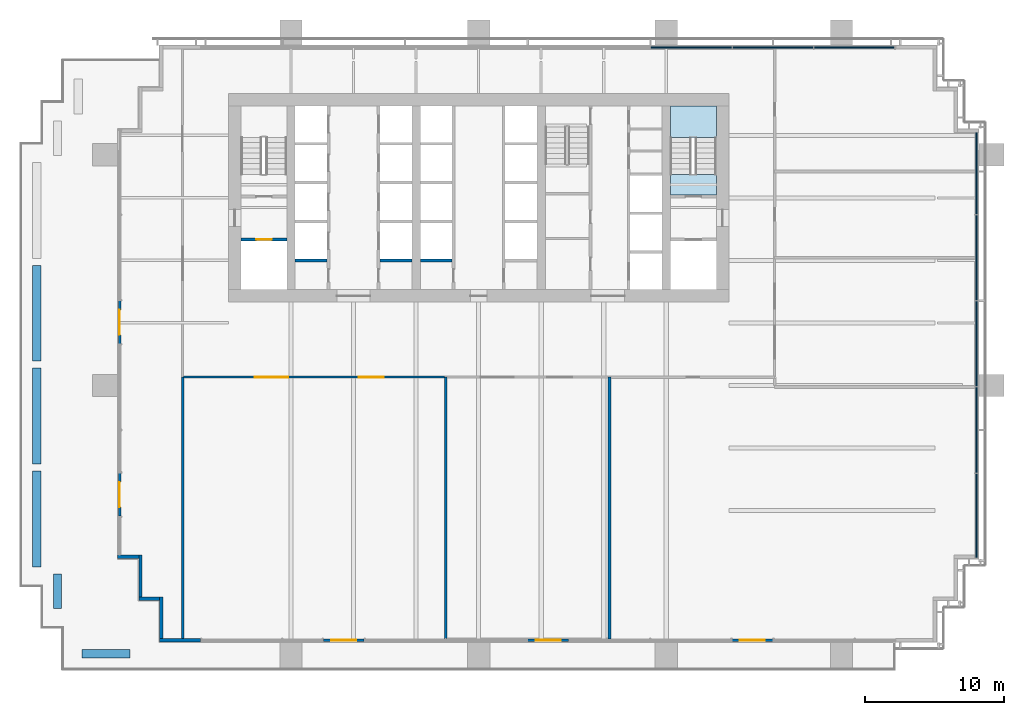
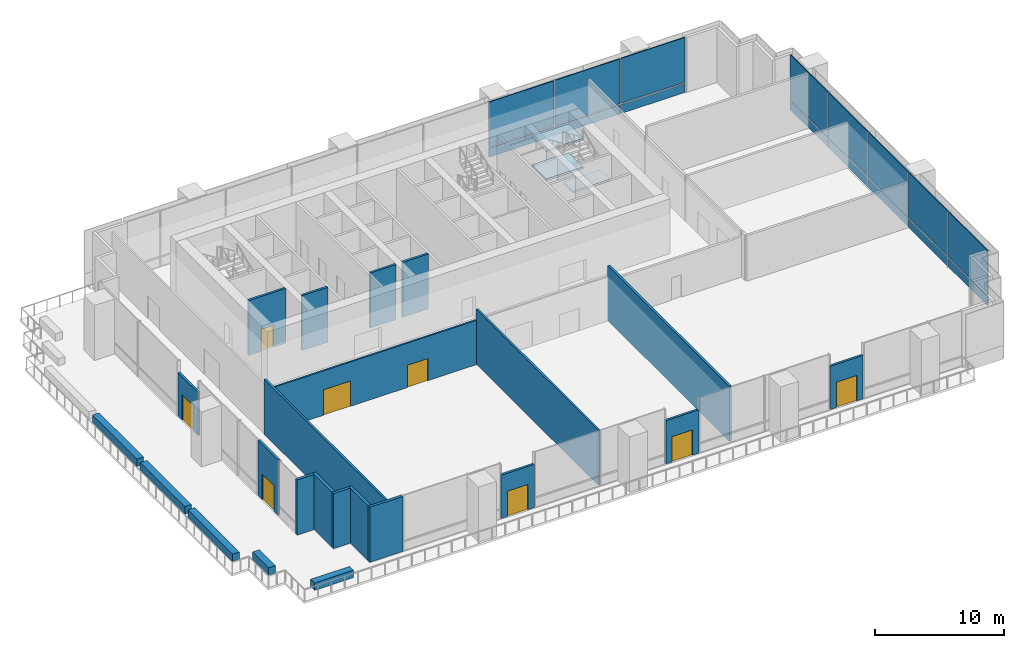
# One storey, part 7 of 15: 23 walls, 16 plates, 7 doors, 3 slabs, 1 window, 8 openings, 3 elements without a shape of their own.
"""IFC4 building model written with IfcOpenShell, lengths in metres."""

from ifc_helpers import new_model, si_unit, direction, frame, frame_2d, origin, origin_2d, place, context, subcontext, project, spatial, polyline, rectangle, outline, extrude, material, layer, layer_set, type_object, element, fill, aggregate, save


model = new_model("IFC4")

# Units and contexts
model_context = context("Model", 3, precision=1e-05, world=origin(), true_north=direction((0.0, 1.0)))
body_context = subcontext(model_context, "Body", "Model", "MODEL_VIEW")
ifc_project = project(units=[si_unit("LENGTHUNIT", "METRE"), si_unit("AREAUNIT", "SQUARE_METRE"), si_unit("VOLUMEUNIT", "CUBIC_METRE"), si_unit("PLANEANGLEUNIT", "RADIAN"), si_unit("MASSUNIT", "GRAM", prefix="KILO")], contexts=[model_context])

# Site, building, storey
site_placement = place(None, origin())
site = spatial("IfcSite", under=ifc_project, at=site_placement, CompositionType="ELEMENT")
building_placement = place(site_placement, origin())
building = spatial("IfcBuilding", under=site, at=building_placement, Name="Rattan Terrace Tower", CompositionType="ELEMENT")
storey_placement = place(building_placement, frame((0.0, 0.0, 74.300048828125)))
storey = spatial("IfcBuildingStorey", under=building, at=storey_placement, Name="L16", CompositionType="ELEMENT", Elevation=74.300048828125)

# Stair, slabs
ifc_material_1 = material(Name="Concrete C40/50", Category="concrete")
stair_type = type_object("IfcStairType", Name="Core exit stair 1500", PredefinedType="HALF_TURN_STAIR", material=ifc_material_1)
stair_placement = place(storey_placement, origin())
stair = element("IfcStair", 1, at=stair_placement, inside=storey, type_object=stair_type, Name="L16 exit stair 2", PredefinedType="HALF_TURN_STAIR")
ifc_material_2 = material(Name="Concrete C40/50", Category="concrete")
ifc_layer_1 = layer(ifc_material_2, 0.199951171875)
ifc_layer_set_1 = layer_set([ifc_layer_1], Name="Core exit stair landing")
slab_type = type_object("IfcSlabType", Name="Core exit stair landing", PredefinedType="LANDING", material=ifc_layer_set_1)
slab_1_placement = place(storey_placement, frame((0.0, 0.0, 1.14990234375)))
slab_1 = element("IfcSlab", 2, at=slab_1_placement, type_object=slab_type, Name="S2 landing 1", PredefinedType="LANDING", context=body_context, shape_type="SweptSolid", body=[
    extrude(outline(polyline([(17.10009765625, 4.360107421875), (17.10009765625, 6.60009765625), (13.800048828125, 6.60009765625), (13.800048828125, 4.360107421875), (17.10009765625, 4.360107421875)])), origin(), (0.0, 0.0, 1.0), 0.199951171875),
])
slab_2_placement = place(storey_placement, frame((0.0, 0.0, 2.5)))
slab_2 = element("IfcSlab", 3, at=slab_2_placement, type_object=slab_type, Name="S2 landing 2", PredefinedType="LANDING", context=body_context, shape_type="SweptSolid", body=[
    extrude(outline(polyline([(17.10009765625, 0.199951171875), (17.10009765625, 1.699951171875), (13.800048828125, 1.699951171875), (13.800048828125, 0.199951171875), (17.10009765625, 0.199951171875)])), origin(), (0.0, 0.0, 1.0), 0.199951171875),
])
slab_3_placement = place(storey_placement, frame((0.0, 0.0, 3.849853515625)))
slab_3 = element("IfcSlab", 4, at=slab_3_placement, type_object=slab_type, Name="S2 landing 3", PredefinedType="LANDING", context=body_context, shape_type="SweptSolid", body=[
    extrude(outline(polyline([(17.10009765625, 4.360107421875), (17.10009765625, 6.60009765625), (13.800048828125, 6.60009765625), (13.800048828125, 4.360107421875), (17.10009765625, 4.360107421875)])), origin(), (0.0, 0.0, 1.0), 0.2001953125),
])
aggregate(stair, [slab_1, slab_2, slab_3])

# Curtain wall, plates
ifc_material_3 = material(Name="Steel fins, aluminium and glass", Category="steel")
ifc_layer_2 = layer(ifc_material_3, 0.300048828125)
ifc_layer_set_2 = layer_set([ifc_layer_2], Name="Sky Lobby Stick Curtain Wall")
curtain_wall_type = type_object("IfcCurtainWallType", Name="Sky Lobby Stick Curtain Wall", PredefinedType="NOTDEFINED", material=ifc_layer_set_2)
curtain_wall_1_placement = place(storey_placement, origin())
curtain_wall_1 = element("IfcCurtainWall", 5, at=curtain_wall_1_placement, inside=storey, type_object=curtain_wall_type, Name="Sky lobby curtain wall L16-1", PredefinedType="NOTDEFINED")
ifc_material_4 = material(Name="Insulated aluminium spandrel panel", Category="aluminium")
ifc_layer_3 = layer(ifc_material_4, 0.10009765625)
ifc_layer_set_3 = layer_set([ifc_layer_3], Name="Sky Lobby CW Insulated Panel")
plate_type_1 = type_object("IfcPlateType", Name="Sky Lobby CW Insulated Panel", PredefinedType="CURTAIN_PANEL", material=ifc_layer_set_3)
plate_1_placement = place(storey_placement, frame((35.830078125, -22.857421875, 0.0), z_axis=(0.0, 0.0, 1.0), x_axis=(0.0, 1.0, 0.0)))
plate_1 = element("IfcPlate", 6, at=plate_1_placement, type_object=plate_type_1, Name="Panel cwl-L16-001.1.1", PredefinedType="CURTAIN_PANEL", context=body_context, shape_type="SweptSolid", body=[
    extrude(rectangle(XDim=6.034912109375, YDim=0.10009765625, at=origin_2d()), origin(), (0.0, 0.0, 1.0), 0.840087890625),
])
plate_2_placement = place(storey_placement, frame((35.830078125, -16.699951171875, 0.0), z_axis=(0.0, 0.0, 1.0), x_axis=(0.0, 1.0, 0.0)))
plate_2 = element("IfcPlate", 7, at=plate_2_placement, type_object=plate_type_1, Name="Panel cwl-L16-001.2.1", PredefinedType="CURTAIN_PANEL", context=body_context, shape_type="SweptSolid", body=[
    extrude(rectangle(XDim=6.1201171875, YDim=0.10009765625, at=origin_2d()), origin(), (0.0, 0.0, 1.0), 0.840087890625),
])
plate_3_placement = place(storey_placement, frame((35.830078125, -10.5, 0.0), z_axis=(0.0, 0.0, 1.0), x_axis=(0.0, 1.0, 0.0)))
plate_3 = element("IfcPlate", 8, at=plate_3_placement, type_object=plate_type_1, Name="Panel cwl-L16-001.3.1", PredefinedType="CURTAIN_PANEL", context=body_context, shape_type="SweptSolid", body=[
    extrude(rectangle(XDim=6.1201171875, YDim=0.10009765625, at=origin_2d()), origin(), (0.0, 0.0, 1.0), 0.840087890625),
])
plate_4_placement = place(storey_placement, frame((35.830078125, -4.300048828125, 0.0), z_axis=(0.0, 0.0, 1.0), x_axis=(0.0, 1.0, 0.0)))
plate_4 = element("IfcPlate", 9, at=plate_4_placement, type_object=plate_type_1, Name="Panel cwl-L16-001.4.1", PredefinedType="CURTAIN_PANEL", context=body_context, shape_type="SweptSolid", body=[
    extrude(rectangle(XDim=6.1201171875, YDim=0.10009765625, at=origin_2d()), origin(), (0.0, 0.0, 1.0), 0.840087890625),
])
plate_5_placement = place(storey_placement, frame((35.830078125, 1.7724609375, 0.0), z_axis=(0.0, 0.0, 1.0), x_axis=(0.0, 1.0, 0.0)))
plate_5 = element("IfcPlate", 10, at=plate_5_placement, type_object=plate_type_1, Name="Panel cwl-L16-001.5.1", PredefinedType="CURTAIN_PANEL", context=body_context, shape_type="SweptSolid", body=[
    extrude(rectangle(XDim=5.864990234375, YDim=0.10009765625, at=origin_2d()), origin(), (0.0, 0.0, 1.0), 0.840087890625),
])

curtain_wall_2_placement = place(storey_placement, origin())
curtain_wall_2 = element("IfcCurtainWall", 11, at=curtain_wall_2_placement, inside=storey, type_object=curtain_wall_type, Name="Sky lobby curtain wall L16-2", PredefinedType="NOTDEFINED")
plate_6_placement = place(storey_placement, frame((27.0390625, 10.830078125, 0.0), z_axis=(0.0, 0.0, 1.0), x_axis=(-1.0, 0.0, 0.0)))
plate_6 = element("IfcPlate", 12, at=plate_6_placement, type_object=plate_type_1, Name="Panel cwl-L16-002.1.1", PredefinedType="CURTAIN_PANEL", context=body_context, shape_type="SweptSolid", body=[
    extrude(rectangle(XDim=5.761962890625, YDim=0.10009765625, at=origin_2d()), origin(), (0.0, 0.0, 1.0), 0.840087890625),
])
plate_7_placement = place(storey_placement, frame((21.177001953125, 10.830078125, 0.0), z_axis=(0.0, 0.0, 1.0), x_axis=(-1.0, 0.0, 0.0)))
plate_7 = element("IfcPlate", 13, at=plate_7_placement, type_object=plate_type_1, Name="Panel cwl-L16-002.2.1", PredefinedType="CURTAIN_PANEL", context=body_context, shape_type="SweptSolid", body=[
    extrude(rectangle(XDim=5.802001953125, YDim=0.10009765625, at=origin_2d()), origin(), (0.0, 0.0, 1.0), 0.840087890625),
])
plate_8_placement = place(storey_placement, frame((15.294921875, 10.830078125, 0.0), z_axis=(0.0, 0.0, 1.0), x_axis=(-1.0, 0.0, 0.0)))
plate_8 = element("IfcPlate", 14, at=plate_8_placement, type_object=plate_type_1, Name="Panel cwl-L16-002.3.1", PredefinedType="CURTAIN_PANEL", context=body_context, shape_type="SweptSolid", body=[
    extrude(rectangle(XDim=5.802001953125, YDim=0.10009765625, at=origin_2d()), origin(), (0.0, 0.0, 1.0), 0.840087890625),
])

# Plate
ifc_material_5 = material(Name="Laminated low-iron glass", Category="glass")
ifc_layer_4 = layer(ifc_material_5, 0.090087890625)
ifc_layer_set_4 = layer_set([ifc_layer_4], Name="Sky Lobby CW Vision Panel")
plate_type_2 = type_object("IfcPlateType", Name="Sky Lobby CW Vision Panel", PredefinedType="CURTAIN_PANEL", material=ifc_layer_set_4)
plate_9_placement = place(storey_placement, frame((35.830078125, -22.857421875, 0.9599609375), z_axis=(0.0, 0.0, 1.0), x_axis=(0.0, 1.0, 0.0)))
plate_9 = element("IfcPlate", 15, at=plate_9_placement, type_object=plate_type_2, Name="Panel cwl-L16-001.1.2", PredefinedType="CURTAIN_PANEL", context=body_context, shape_type="SweptSolid", body=[
    extrude(rectangle(XDim=6.034912109375, YDim=0.090087890625, at=origin_2d()), origin(), (0.0, 0.0, 1.0), 4.239990234375),
])

plate_10_placement = place(storey_placement, frame((35.830078125, -16.699951171875, 0.9599609375), z_axis=(0.0, 0.0, 1.0), x_axis=(0.0, 1.0, 0.0)))
plate_10 = element("IfcPlate", 16, at=plate_10_placement, type_object=plate_type_2, Name="Panel cwl-L16-001.2.2", PredefinedType="CURTAIN_PANEL", context=body_context, shape_type="SweptSolid", body=[
    extrude(rectangle(XDim=6.1201171875, YDim=0.090087890625, at=origin_2d()), origin(), (0.0, 0.0, 1.0), 4.239990234375),
])

plate_11_placement = place(storey_placement, frame((35.830078125, -10.5, 0.9599609375), z_axis=(0.0, 0.0, 1.0), x_axis=(0.0, 1.0, 0.0)))
plate_11 = element("IfcPlate", 17, at=plate_11_placement, type_object=plate_type_2, Name="Panel cwl-L16-001.3.2", PredefinedType="CURTAIN_PANEL", context=body_context, shape_type="SweptSolid", body=[
    extrude(rectangle(XDim=6.1201171875, YDim=0.090087890625, at=origin_2d()), origin(), (0.0, 0.0, 1.0), 4.239990234375),
])

plate_12_placement = place(storey_placement, frame((35.830078125, -4.300048828125, 0.9599609375), z_axis=(0.0, 0.0, 1.0), x_axis=(0.0, 1.0, 0.0)))
plate_12 = element("IfcPlate", 18, at=plate_12_placement, type_object=plate_type_2, Name="Panel cwl-L16-001.4.2", PredefinedType="CURTAIN_PANEL", context=body_context, shape_type="SweptSolid", body=[
    extrude(rectangle(XDim=6.1201171875, YDim=0.090087890625, at=origin_2d()), origin(), (0.0, 0.0, 1.0), 4.239990234375),
])

plate_13_placement = place(storey_placement, frame((35.830078125, 1.7724609375, 0.9599609375), z_axis=(0.0, 0.0, 1.0), x_axis=(0.0, 1.0, 0.0)))
plate_13 = element("IfcPlate", 19, at=plate_13_placement, type_object=plate_type_2, Name="Panel cwl-L16-001.5.2", PredefinedType="CURTAIN_PANEL", context=body_context, shape_type="SweptSolid", body=[
    extrude(rectangle(XDim=5.864990234375, YDim=0.090087890625, at=origin_2d()), origin(), (0.0, 0.0, 1.0), 4.239990234375),
])

aggregate(curtain_wall_1, [plate_1, plate_9, plate_2, plate_10, plate_3, plate_11, plate_4, plate_12, plate_5, plate_13])

plate_14_placement = place(storey_placement, frame((27.0390625, 10.830078125, 0.9599609375), z_axis=(0.0, 0.0, 1.0), x_axis=(-1.0, 0.0, 0.0)))
plate_14 = element("IfcPlate", 20, at=plate_14_placement, type_object=plate_type_2, Name="Panel cwl-L16-002.1.2", PredefinedType="CURTAIN_PANEL", context=body_context, shape_type="SweptSolid", body=[
    extrude(rectangle(XDim=5.761962890625, YDim=0.090087890625, at=origin_2d()), origin(), (0.0, 0.0, 1.0), 4.239990234375),
])

plate_15_placement = place(storey_placement, frame((21.177001953125, 10.830078125, 0.9599609375), z_axis=(0.0, 0.0, 1.0), x_axis=(-1.0, 0.0, 0.0)))
plate_15 = element("IfcPlate", 21, at=plate_15_placement, type_object=plate_type_2, Name="Panel cwl-L16-002.2.2", PredefinedType="CURTAIN_PANEL", context=body_context, shape_type="SweptSolid", body=[
    extrude(rectangle(XDim=5.802001953125, YDim=0.090087890625, at=origin_2d()), origin(), (0.0, 0.0, 1.0), 4.239990234375),
])

plate_16_placement = place(storey_placement, frame((15.294921875, 10.830078125, 0.9599609375), z_axis=(0.0, 0.0, 1.0), x_axis=(-1.0, 0.0, 0.0)))
plate_16 = element("IfcPlate", 22, at=plate_16_placement, type_object=plate_type_2, Name="Panel cwl-L16-002.3.2", PredefinedType="CURTAIN_PANEL", context=body_context, shape_type="SweptSolid", body=[
    extrude(rectangle(XDim=5.802001953125, YDim=0.090087890625, at=origin_2d()), origin(), (0.0, 0.0, 1.0), 4.239990234375),
])

aggregate(curtain_wall_2, [plate_6, plate_14, plate_7, plate_15, plate_8, plate_16])

# Wall, opening, door
ifc_material_6 = material(Name="Gypsum board partition")
ifc_layer_5 = layer(ifc_material_6, 0.199951171875)
ifc_layer_set_5 = layer_set([ifc_layer_5], Name="Core partition 200")
wall_type_1 = type_object("IfcWallType", Name="Core partition 200", PredefinedType="PARTITIONING", material=ifc_layer_set_5)
wall_1_placement = place(storey_placement, frame((-17.10009765625, -3.0, 0.0), z_axis=(0.0, 0.0, 1.0), x_axis=(1.0, 0.0, 0.0)))
wall_1 = element("IfcWall", 23, at=wall_1_placement, inside=storey, type_object=wall_type_1, Name="Fire-fighting lobby wall", PredefinedType="PARTITIONING", context=body_context, shape_type="SweptSolid", body=[
    extrude(rectangle(XDim=3.300048828125, YDim=0.199951171875, at=frame_2d((1.64990234375, 0.0))), origin(), (0.0, 0.0, 1.0), 5.199951171875),
])
opening_1_placement = place(wall_1_placement, frame((1.10009765625, 0.0, 0.0)))
opening_1 = element("IfcOpeningElement", 24, at=opening_1_placement, cuts=wall_1, Name="Opening L16-LD-FF1", PredefinedType="OPENING", context=body_context, shape_type="SweptSolid", body=[
    extrude(rectangle(XDim=1.10009765625, YDim=2.10009765625, at=frame_2d((0.550048828125, 1.050048828125))), frame((0.0, 0.110595703125, 0.0), z_axis=(0.0, -1.0, 0.0), x_axis=(1.0, 0.0, 0.0)), (0.0, 0.0, 1.0), 0.220947265625),
])
ifc_material_7 = material(Name="Brushed stainless landing door panel")
door_type_1 = type_object("IfcDoorType", Name="Core lift landing door 1100", OperationType="DOUBLE_DOOR_SLIDING", PredefinedType="DOOR", material=ifc_material_7)
door_1_placement = place(opening_1_placement, origin())
door_1 = element("IfcDoor", 25, at=door_1_placement, inside=storey, type_object=door_type_1, Name="Door L16-LD-FF1", OperationType="DOUBLE_DOOR_SLIDING", OverallHeight=2.10009765625, OverallWidth=1.10009765625, PredefinedType="DOOR", context=body_context, shape_type="SweptSolid", body=[
    extrude(rectangle(XDim=1.10009765625, YDim=2.10009765625, at=frame_2d((0.550048828125, 1.050048828125))), frame((0.0, 0.02490234375, 0.0), z_axis=(0.0, -1.0, 0.0), x_axis=(1.0, 0.0, 0.0)), (0.0, 0.0, 1.0), 0.050048828125),
])
fill(opening_1, door_1)

ifc_material_8 = material(Name="Insulated aluminium-clad stud wall", Category="aluminium")
ifc_layer_6 = layer(ifc_material_8, 0.199951171875)
ifc_layer_set_6 = layer_set([ifc_layer_6], Name="Facade Door Wall 200")
wall_type_2 = type_object("IfcWallType", Name="Facade Door Wall 200", PredefinedType="SOLIDWALL", material=ifc_layer_set_6)
wall_2_placement = place(storey_placement, frame((-25.830078125, -7.39990234375, 0.0), z_axis=(0.0, 0.0, 1.0), x_axis=(0.0, -1.0, 0.0)))
wall_2 = element("IfcWall", 26, at=wall_2_placement, inside=storey, type_object=wall_type_2, Name="Terrace door wall L16-16", PredefinedType="SOLIDWALL", context=body_context, shape_type="SweptSolid", body=[
    extrude(rectangle(XDim=3.10009765625, YDim=0.199951171875, at=frame_2d((1.550048828125, 0.0))), origin(), (0.0, 0.0, 1.0), 4.099853515625),
])
opening_2_placement = place(wall_2_placement, frame((0.64990234375, 0.0, 0.0)))
opening_2 = element("IfcOpeningElement", 27, at=opening_2_placement, cuts=wall_2, Name="Opening L16-D701", PredefinedType="OPENING", context=body_context, shape_type="SweptSolid", body=[
    extrude(rectangle(XDim=1.800048828125, YDim=2.39990234375, at=frame_2d((0.89990234375, 1.199951171875))), frame((0.0, 0.110595703125, 0.0), z_axis=(0.0, -1.0, 0.0), x_axis=(1.0, 0.0, 0.0)), (0.0, 0.0, 1.0), 0.220947265625),
])
ifc_material_9 = material(Name="Aluminium and clear glass", Category="aluminium")
door_type_2 = type_object("IfcDoorType", Name="Facade Terrace Door 1800", OperationType="DOUBLE_DOOR_SINGLE_SWING", PredefinedType="DOOR", material=ifc_material_9)
door_2_placement = place(opening_2_placement, origin())
door_2 = element("IfcDoor", 28, at=door_2_placement, inside=storey, type_object=door_type_2, Name="Terrace door L16-D701", OperationType="DOUBLE_DOOR_SINGLE_SWING", OverallHeight=2.39990234375, OverallWidth=1.800048828125, PredefinedType="DOOR", context=body_context, shape_type="SweptSolid", body=[
    extrude(rectangle(XDim=1.800048828125, YDim=2.39990234375, at=frame_2d((0.89990234375, 1.199951171875))), frame((0.0, 0.02490234375, 0.0), z_axis=(0.0, -1.0, 0.0), x_axis=(1.0, 0.0, 0.0)), (0.0, 0.0, 1.0), 0.050048828125),
])
fill(opening_2, door_2)

wall_3_placement = place(storey_placement, frame((-25.830078125, -19.800048828125, 0.0), z_axis=(0.0, 0.0, 1.0), x_axis=(0.0, -1.0, 0.0)))
wall_3 = element("IfcWall", 29, at=wall_3_placement, inside=storey, type_object=wall_type_2, Name="Terrace door wall L16-17", PredefinedType="SOLIDWALL", context=body_context, shape_type="SweptSolid", body=[
    extrude(rectangle(XDim=3.099853515625, YDim=0.199951171875, at=frame_2d((1.5498046875, 0.0))), origin(), (0.0, 0.0, 1.0), 5.199951171875),
])
opening_3_placement = place(wall_3_placement, frame((0.64990234375, 0.0, 0.0)))
opening_3 = element("IfcOpeningElement", 30, at=opening_3_placement, cuts=wall_3, Name="Opening L16-D702", PredefinedType="OPENING", context=body_context, shape_type="SweptSolid", body=[
    extrude(rectangle(XDim=1.800048828125, YDim=2.39990234375, at=frame_2d((0.89990234375, 1.199951171875))), frame((0.0, 0.110595703125, 0.0), z_axis=(0.0, -1.0, 0.0), x_axis=(1.0, 0.0, 0.0)), (0.0, 0.0, 1.0), 0.220947265625),
])
door_3_placement = place(opening_3_placement, origin())
door_3 = element("IfcDoor", 31, at=door_3_placement, inside=storey, type_object=door_type_2, Name="Terrace door L16-D702", OperationType="DOUBLE_DOOR_SINGLE_SWING", OverallHeight=2.39990234375, OverallWidth=1.800048828125, PredefinedType="DOOR", context=body_context, shape_type="SweptSolid", body=[
    extrude(rectangle(XDim=1.800048828125, YDim=2.39990234375, at=frame_2d((0.89990234375, 1.199951171875))), frame((0.0, 0.02490234375, 0.0), z_axis=(0.0, -1.0, 0.0), x_axis=(1.0, 0.0, 0.0)), (0.0, 0.0, 1.0), 0.050048828125),
])
fill(opening_3, door_3)

wall_4_placement = place(storey_placement, frame((-11.177001953125, -31.830078125, 0.0), z_axis=(0.0, 0.0, 1.0), x_axis=(1.0, 0.0, 0.0)))
wall_4 = element("IfcWall", 32, at=wall_4_placement, inside=storey, type_object=wall_type_2, Name="Terrace door wall L16-23", PredefinedType="SOLIDWALL", context=body_context, shape_type="SweptSolid", body=[
    extrude(rectangle(XDim=2.94091796875, YDim=0.199951171875, at=frame_2d((1.470458984375, 0.0))), origin(), (0.0, 0.0, 1.0), 4.099853515625),
])
opening_4_placement = place(wall_4_placement, frame((0.570556640625, 0.0, 0.0)))
opening_4 = element("IfcOpeningElement", 33, at=opening_4_placement, cuts=wall_4, Name="Opening L16-D703", PredefinedType="OPENING", context=body_context, shape_type="SweptSolid", body=[
    extrude(rectangle(XDim=1.800048828125, YDim=2.39990234375, at=frame_2d((0.89990234375, 1.199951171875))), frame((0.0, 0.110595703125, 0.0), z_axis=(0.0, -1.0, 0.0), x_axis=(1.0, 0.0, 0.0)), (0.0, 0.0, 1.0), 0.220947265625),
])
door_4_placement = place(opening_4_placement, origin())
door_4 = element("IfcDoor", 34, at=door_4_placement, inside=storey, type_object=door_type_2, Name="Terrace door L16-D703", OperationType="DOUBLE_DOOR_SINGLE_SWING", OverallHeight=2.39990234375, OverallWidth=1.800048828125, PredefinedType="DOOR", context=body_context, shape_type="SweptSolid", body=[
    extrude(rectangle(XDim=1.800048828125, YDim=2.39990234375, at=frame_2d((0.89990234375, 1.199951171875))), frame((0.0, 0.02490234375, 0.0), z_axis=(0.0, -1.0, 0.0), x_axis=(1.0, 0.0, 0.0)), (0.0, 0.0, 1.0), 0.050048828125),
])
fill(opening_4, door_4)

wall_5_placement = place(storey_placement, frame((3.528076171875, -31.830078125, 0.0), z_axis=(0.0, 0.0, 1.0), x_axis=(1.0, 0.0, 0.0)))
wall_5 = element("IfcWall", 35, at=wall_5_placement, inside=storey, type_object=wall_type_2, Name="Terrace door wall L16-24", PredefinedType="SOLIDWALL", context=body_context, shape_type="SweptSolid", body=[
    extrude(rectangle(XDim=2.94091796875, YDim=0.199951171875, at=frame_2d((1.470458984375, 0.0))), origin(), (0.0, 0.0, 1.0), 4.099853515625),
])
opening_5_placement = place(wall_5_placement, frame((0.570556640625, 0.0, 0.0)))
opening_5 = element("IfcOpeningElement", 36, at=opening_5_placement, cuts=wall_5, Name="Opening L16-D704", PredefinedType="OPENING", context=body_context, shape_type="SweptSolid", body=[
    extrude(rectangle(XDim=1.800048828125, YDim=2.39990234375, at=frame_2d((0.89990234375, 1.199951171875))), frame((0.0, 0.110595703125, 0.0), z_axis=(0.0, -1.0, 0.0), x_axis=(1.0, 0.0, 0.0)), (0.0, 0.0, 1.0), 0.220947265625),
])
door_5_placement = place(opening_5_placement, origin())
door_5 = element("IfcDoor", 37, at=door_5_placement, inside=storey, type_object=door_type_2, Name="Terrace door L16-D704", OperationType="DOUBLE_DOOR_SINGLE_SWING", OverallHeight=2.39990234375, OverallWidth=1.800048828125, PredefinedType="DOOR", context=body_context, shape_type="SweptSolid", body=[
    extrude(rectangle(XDim=1.800048828125, YDim=2.39990234375, at=frame_2d((0.89990234375, 1.199951171875))), frame((0.0, 0.02490234375, 0.0), z_axis=(0.0, -1.0, 0.0), x_axis=(1.0, 0.0, 0.0)), (0.0, 0.0, 1.0), 0.050048828125),
])
fill(opening_5, door_5)

wall_6_placement = place(storey_placement, frame((18.23291015625, -31.830078125, 0.0), z_axis=(0.0, 0.0, 1.0), x_axis=(1.0, 0.0, 0.0)))
wall_6 = element("IfcWall", 38, at=wall_6_placement, inside=storey, type_object=wall_type_2, Name="Terrace door wall L16-25", PredefinedType="SOLIDWALL", context=body_context, shape_type="SweptSolid", body=[
    extrude(rectangle(XDim=2.941162109375, YDim=0.199951171875, at=frame_2d((1.470703125, 0.0))), origin(), (0.0, 0.0, 1.0), 4.099853515625),
])
opening_6_placement = place(wall_6_placement, frame((0.570556640625, 0.0, 0.0)))
opening_6 = element("IfcOpeningElement", 39, at=opening_6_placement, cuts=wall_6, Name="Opening L16-D705", PredefinedType="OPENING", context=body_context, shape_type="SweptSolid", body=[
    extrude(rectangle(XDim=1.800048828125, YDim=2.39990234375, at=frame_2d((0.89990234375, 1.199951171875))), frame((0.0, 0.110595703125, 0.0), z_axis=(0.0, -1.0, 0.0), x_axis=(1.0, 0.0, 0.0)), (0.0, 0.0, 1.0), 0.220947265625),
])
door_6_placement = place(opening_6_placement, origin())
door_6 = element("IfcDoor", 40, at=door_6_placement, inside=storey, type_object=door_type_2, Name="Terrace door L16-D705", OperationType="DOUBLE_DOOR_SINGLE_SWING", OverallHeight=2.39990234375, OverallWidth=1.800048828125, PredefinedType="DOOR", context=body_context, shape_type="SweptSolid", body=[
    extrude(rectangle(XDim=1.800048828125, YDim=2.39990234375, at=frame_2d((0.89990234375, 1.199951171875))), frame((0.0, 0.02490234375, 0.0), z_axis=(0.0, -1.0, 0.0), x_axis=(1.0, 0.0, 0.0)), (0.0, 0.0, 1.0), 0.050048828125),
])
fill(opening_6, door_6)

# Walls
ifc_material_10 = material(Name="Precast concrete C30/37", Category="concrete")
ifc_layer_7 = layer(ifc_material_10, 0.60009765625)
ifc_layer_set_7 = layer_set([ifc_layer_7], Name="Facade Planter Wall 600")
wall_type_3 = type_object("IfcWallType", Name="Facade Planter Wall 600", PredefinedType="SOLIDWALL", material=ifc_layer_set_7)
wall_7_placement = place(storey_placement, frame((-25.0810546875, -32.800048828125, 0.0), z_axis=(0.0, 0.0, 1.0), x_axis=(-1.0, 0.0, 0.0)))
element("IfcWall", 41, at=wall_7_placement, inside=storey, type_object=wall_type_3, Name="PLANTER bed L16-1", PredefinedType="SOLIDWALL", context=body_context, shape_type="SweptSolid", body=[
    extrude(rectangle(XDim=3.468994140625, YDim=0.60009765625, at=frame_2d((1.734375, 0.0))), origin(), (0.0, 0.0, 1.0), 0.699951171875),
])
wall_8_placement = place(storey_placement, frame((-30.300048828125, -29.550048828125, 0.0), z_axis=(0.0, 0.0, 1.0), x_axis=(0.0, 1.0, 0.0)))
element("IfcWall", 42, at=wall_8_placement, inside=storey, type_object=wall_type_3, Name="PLANTER bed L16-2", PredefinedType="SOLIDWALL", context=body_context, shape_type="SweptSolid", body=[
    extrude(rectangle(XDim=2.5, YDim=0.60009765625, at=frame_2d((1.25, 0.0))), origin(), (0.0, 0.0, 1.0), 0.699951171875),
])
wall_9_placement = place(storey_placement, frame((-31.800048828125, -26.550048828125, 0.0), z_axis=(0.0, 0.0, 1.0), x_axis=(0.0, 1.0, 0.0)))
element("IfcWall", 43, at=wall_9_placement, inside=storey, type_object=wall_type_3, Name="PLANTER bed L16-3", PredefinedType="SOLIDWALL", context=body_context, shape_type="SweptSolid", body=[
    extrude(rectangle(XDim=6.900146484375, YDim=0.60009765625, at=frame_2d((3.4501953125, 0.0))), origin(), (0.0, 0.0, 1.0), 0.699951171875),
])
for number, where, z_axis, x_axis, name in (
    (44, (-31.800048828125, -19.14990234375, 0.0), (0.0, 0.0, 1.0), (0.0, 1.0, 0.0), "PLANTER bed L16-4"),
    (45, (-31.800048828125, -11.75, 0.0), (0.0, 0.0, 1.0), (0.0, 1.0, 0.0), "PLANTER bed L16-5"),
):
    element("IfcWall", number, at=place(storey_placement, frame(where, z_axis=z_axis, x_axis=x_axis)), inside=storey, type_object=wall_type_3, Name=name, PredefinedType="SOLIDWALL", context=body_context, shape_type="SweptSolid", body=[
        extrude(rectangle(XDim=6.89990234375, YDim=0.60009765625, at=frame_2d((3.449951171875, 0.0))), origin(), (0.0, 0.0, 1.0), 0.699951171875),
    ])
ifc_material_11 = material(Name="Insulated aluminium-clad stud wall", Category="aluminium")
ifc_layer_8 = layer(ifc_material_11, 0.25)
ifc_layer_set_8 = layer_set([ifc_layer_8], Name="Facade Riser Wall 250")
wall_type_4 = type_object("IfcWallType", Name="Facade Riser Wall 250", PredefinedType="SOLIDWALL", material=ifc_layer_set_8)
wall_10_placement = place(storey_placement, frame((-25.97998046875, -25.830078125, 0.0), z_axis=(0.0, 0.0, 1.0), x_axis=(1.0, 0.0, 0.0)))
element("IfcWall", 46, at=wall_10_placement, inside=storey, type_object=wall_type_4, Name="Riser wall L16-18", PredefinedType="SOLIDWALL", context=body_context, shape_type="SweptSolid", body=[
    extrude(rectangle(XDim=1.52490234375, YDim=0.25, at=frame_2d((0.762451171875, 0.0))), origin(), (0.0, 0.0, 1.0), 5.199951171875),
])
wall_11_placement = place(storey_placement, frame((-24.330078125, -25.705078125, 0.0), z_axis=(0.0, 0.0, 1.0), x_axis=(0.0, -1.0, 0.0)))
element("IfcWall", 47, at=wall_11_placement, inside=storey, type_object=wall_type_4, Name="Riser wall L16-19", PredefinedType="SOLIDWALL", context=body_context, shape_type="SweptSolid", body=[
    extrude(rectangle(XDim=3.0, YDim=0.25, at=frame_2d((1.5, 0.0))), origin(), (0.0, 0.0, 1.0), 5.199951171875),
])
wall_12_placement = place(storey_placement, frame((-24.455078125, -28.830078125, 0.0), z_axis=(0.0, 0.0, 1.0), x_axis=(1.0, 0.0, 0.0)))
element("IfcWall", 48, at=wall_12_placement, inside=storey, type_object=wall_type_4, Name="Riser wall L16-20", PredefinedType="SOLIDWALL", context=body_context, shape_type="SweptSolid", body=[
    extrude(rectangle(XDim=1.5, YDim=0.25, at=frame_2d((0.75, 0.0))), origin(), (0.0, 0.0, 1.0), 5.199951171875),
])
wall_13_placement = place(storey_placement, frame((-22.830078125, -28.705078125, 0.0), z_axis=(0.0, 0.0, 1.0), x_axis=(0.0, -1.0, 0.0)))
element("IfcWall", 49, at=wall_13_placement, inside=storey, type_object=wall_type_4, Name="Riser wall L16-21", PredefinedType="SOLIDWALL", context=body_context, shape_type="SweptSolid", body=[
    extrude(rectangle(XDim=3.0, YDim=0.25, at=frame_2d((1.5, 0.0))), origin(), (0.0, 0.0, 1.0), 5.199951171875),
])
wall_14_placement = place(storey_placement, frame((-22.955078125, -31.830078125, 0.0), z_axis=(0.0, 0.0, 1.0), x_axis=(1.0, 0.0, 0.0)))
element("IfcWall", 50, at=wall_14_placement, inside=storey, type_object=wall_type_4, Name="Riser wall L16-22", PredefinedType="SOLIDWALL", context=body_context, shape_type="SweptSolid", body=[
    extrude(rectangle(XDim=2.955078125, YDim=0.25, at=frame_2d((1.4775390625, 0.0))), origin(), (0.0, 0.0, 1.0), 5.199951171875),
])
ifc_material_12 = material(Name="Double steel stud acoustic partition, gypsum board, mineral wool, fire rated", Category="steel")
ifc_layer_9 = layer(ifc_material_12, 0.179931640625)
ifc_layer_set_9 = layer_set([ifc_layer_9], Name="Floors Acoustic Party Wall 180")
wall_type_5 = type_object("IfcWallType", Name="Floors Acoustic Party Wall 180", PredefinedType="PARTITIONING", material=ifc_layer_set_9)
wall_15_placement = place(storey_placement, frame((-21.300048828125, -12.8798828125, 0.0), z_axis=(0.0, 0.0, 1.0), x_axis=(0.0, -1.0, 0.0)))
element("IfcWall", 51, at=wall_15_placement, inside=storey, type_object=wall_type_5, Name="pt-L16-008", PredefinedType="PARTITIONING", context=body_context, shape_type="SweptSolid", body=[
    extrude(rectangle(XDim=18.860107421875, YDim=0.179931640625, at=frame_2d((9.43017578125, 0.0))), origin(), (0.0, 0.0, 1.0), 5.199951171875),
])
wall_16_placement = place(storey_placement, frame((-2.35302734375, -31.739990234375, 0.0), z_axis=(0.0, 0.0, 1.0), x_axis=(0.0, 1.0, 0.0)))
element("IfcWall", 52, at=wall_16_placement, inside=storey, type_object=wall_type_5, Name="pt-L16-009", PredefinedType="PARTITIONING", context=body_context, shape_type="SweptSolid", body=[
    extrude(rectangle(XDim=18.840087890625, YDim=0.179931640625, at=frame_2d((9.419921875, 0.0))), origin(), (0.0, 0.0, 1.0), 5.199951171875),
])
ifc_material_13 = material(Name="Concrete block wall, plastered", Category="concrete")
ifc_layer_10 = layer(ifc_material_13, 0.199951171875)
ifc_layer_set_10 = layer_set([ifc_layer_10], Name="Floors Plant Wall 200")
wall_type_6 = type_object("IfcWallType", Name="Floors Plant Wall 200", PredefinedType="PARTITIONING", material=ifc_layer_set_10)
wall_17_placement = place(storey_placement, frame((9.412109375, -12.89990234375, 0.0), z_axis=(0.0, 0.0, 1.0), x_axis=(0.0, -1.0, 0.0)))
element("IfcWall", 53, at=wall_17_placement, inside=storey, type_object=wall_type_6, Name="pt-L16-010", PredefinedType="PARTITIONING", context=body_context, shape_type="SweptSolid", body=[
    extrude(rectangle(XDim=18.840087890625, YDim=0.199951171875, at=frame_2d((9.419921875, 0.0))), origin(), (0.0, 0.0, 1.0), 5.199951171875),
])

# Wall, openings, door, window
ifc_material_14 = material(Name="Gypsum board partition on steel studs, fire rated", Category="steel")
ifc_layer_11 = layer(ifc_material_14, 0.14990234375)
ifc_layer_set_11 = layer_set([ifc_layer_11], Name="Floors Tenancy Wall 150")
wall_type_7 = type_object("IfcWallType", Name="Floors Tenancy Wall 150", PredefinedType="PARTITIONING", material=ifc_layer_set_11)
wall_18_placement = place(storey_placement, frame((-2.443115234375, -12.89990234375, 0.0), z_axis=(0.0, 0.0, 1.0), x_axis=(-1.0, 0.0, 0.0)))
wall_18 = element("IfcWall", 54, at=wall_18_placement, inside=storey, type_object=wall_type_7, Name="pt-L16-003", PredefinedType="PARTITIONING", context=body_context, shape_type="SweptSolid", body=[
    extrude(rectangle(XDim=18.781982421875, YDim=0.14990234375, at=frame_2d((9.39111328125, 0.0))), origin(), (0.0, 0.0, 1.0), 4.199951171875),
])
opening_7_placement = place(wall_18_placement, frame((4.3701171875, 0.0, 0.0)))
opening_7 = element("IfcOpeningElement", 55, at=opening_7_placement, cuts=wall_18, Name="Opening L16-D102", PredefinedType="OPENING", context=body_context, shape_type="SweptSolid", body=[
    extrude(rectangle(XDim=1.800048828125, YDim=2.10009765625, at=frame_2d((0.89990234375, 1.050048828125))), frame((0.0, 0.08544921875, 0.0), z_axis=(0.0, -1.0, 0.0), x_axis=(1.0, 0.0, 0.0)), (0.0, 0.0, 1.0), 0.1708984375),
])
opening_8_placement = place(wall_18_placement, frame((11.26904296875, 0.0, 0.0)))
opening_8 = element("IfcOpeningElement", 56, at=opening_8_placement, cuts=wall_18, Name="Opening L16-W102", PredefinedType="OPENING", context=body_context, shape_type="SweptSolid", body=[
    extrude(rectangle(XDim=2.39990234375, YDim=2.39990234375, at=frame_2d((1.199951171875, 1.199951171875))), frame((0.0, 0.08544921875, 0.0), z_axis=(0.0, -1.0, 0.0), x_axis=(1.0, 0.0, 0.0)), (0.0, 0.0, 1.0), 0.1708984375),
])
ifc_material_15 = material(Name="Steel fire door set", Category="steel")
door_type_3 = type_object("IfcDoorType", Name="Floors Fire Door Pair FD30S 1800x2100", OperationType="NOTDEFINED", PredefinedType="DOOR", material=ifc_material_15)
door_7_placement = place(opening_7_placement, origin())
door_7 = element("IfcDoor", 57, at=door_7_placement, inside=storey, type_object=door_type_3, Name="d-L16-102", OperationType="DOUBLE_DOOR_SINGLE_SWING", OverallHeight=2.10009765625, OverallWidth=1.800048828125, PredefinedType="DOOR", context=body_context, shape_type="SweptSolid", body=[
    extrude(rectangle(XDim=1.800048828125, YDim=2.10009765625, at=frame_2d((0.89990234375, 1.050048828125))), frame((0.0, 0.02490234375, 0.0), z_axis=(0.0, -1.0, 0.0), x_axis=(1.0, 0.0, 0.0)), (0.0, 0.0, 1.0), 0.050048828125),
])
fill(opening_7, door_7)
ifc_material_16 = material(Name="Glass, clear, fixed in aluminium frame", Category="aluminium")
window_type = type_object("IfcWindowType", Name="Interior Glazed Screen 2400x2400", PartitioningType="SINGLE_PANEL", PredefinedType="WINDOW", material=ifc_material_16)
window_placement = place(opening_8_placement, origin())
window = element("IfcWindow", 58, at=window_placement, inside=storey, type_object=window_type, Name="w-L16-102", OverallHeight=2.39990234375, OverallWidth=2.39990234375, PartitioningType="SINGLE_PANEL", PredefinedType="WINDOW", context=body_context, shape_type="SweptSolid", body=[
    extrude(rectangle(XDim=2.39990234375, YDim=2.39990234375, at=frame_2d((1.199951171875, 1.199951171875))), frame((0.0, 0.030029296875, 0.0), z_axis=(0.0, -1.0, 0.0), x_axis=(1.0, 0.0, 0.0)), (0.0, 0.0, 1.0), 0.06005859375),
])
fill(opening_8, window)

# Walls
ifc_material_17 = material(Name="Gypsum shaft wall system")
ifc_layer_12 = layer(ifc_material_17, 0.199951171875)
ifc_layer_set_12 = layer_set([ifc_layer_12], Name="Lift shaft wall 200")
wall_type_8 = type_object("IfcWallType", Name="Lift shaft wall 200", PredefinedType="PARTITIONING", material=ifc_layer_set_12)
for number, where, z_axis, x_axis, name in (
    (59, (-13.199951171875, -4.5, 0.0), (0.0, 0.0, 1.0), (1.0, 0.0, 0.0), "Lift shaft wall"),
    (60, (-7.10009765625, -4.5, 0.0), (0.0, 0.0, 1.0), (1.0, 0.0, 0.0), "Lift shaft wall"),
    (61, (-4.199951171875, -4.5, 0.0), (0.0, 0.0, 1.0), (1.0, 0.0, 0.0), "Lift shaft wall"),
):
    element("IfcWall", number, at=place(storey_placement, frame(where, z_axis=z_axis, x_axis=x_axis)), inside=storey, type_object=wall_type_8, Name=name, PredefinedType="PARTITIONING", context=body_context, shape_type="SweptSolid", body=[
        extrude(rectangle(XDim=2.300048828125, YDim=0.199951171875, at=frame_2d((1.14990234375, 0.0))), origin(), (0.0, 0.0, 1.0), 5.199951171875),
    ])

save(model, "model.ifc")
